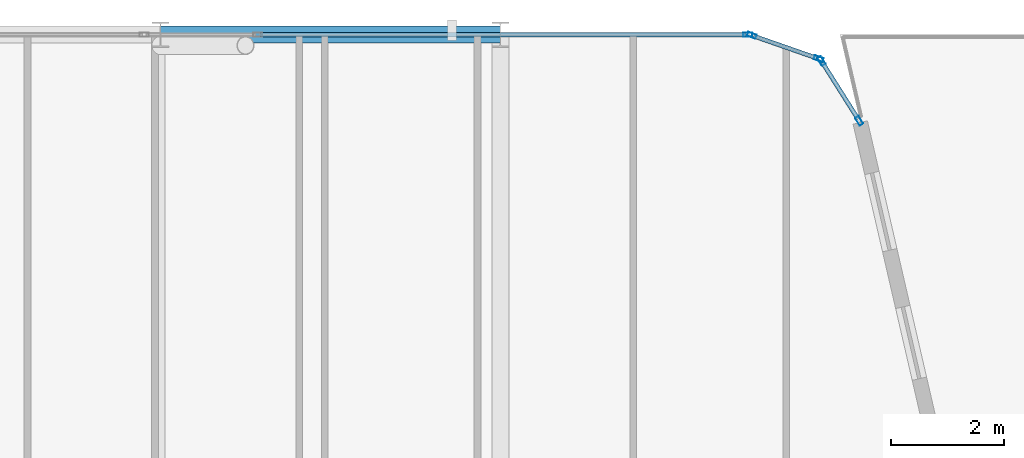
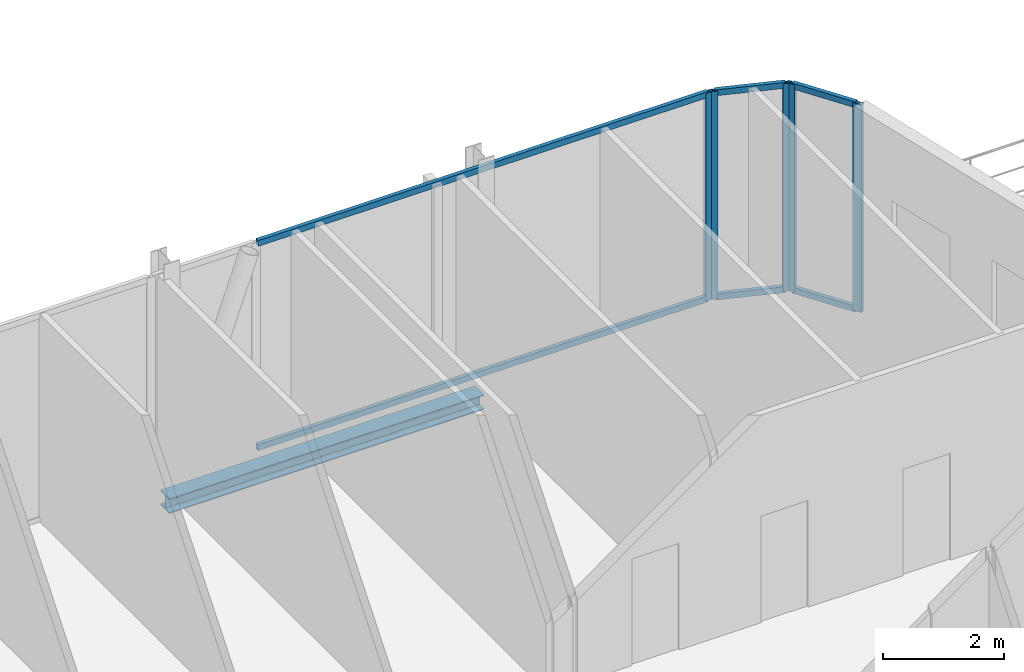
# One storey, part 18 of 28: 11 members, 1 beam, 3 elements without a shape of their own.
"""IFC4 building model written with IfcOpenShell, lengths in metres."""

from ifc_helpers import new_model, si_unit, direction, frame, origin, origin_2d, place, context, subcontext, project, spatial, hollow_rectangle, i_section, extrude, material, layer, layer_set, material_profile, profile_set, type_object, element, aggregate, save


model = new_model("IFC4")

# Units and contexts
model_context = context("Model", 3, precision=1e-05, world=origin(), true_north=direction((0.0, 1.0)))
body_context = subcontext(model_context, "Body", "Model", "MODEL_VIEW")
ifc_project = project(units=[si_unit("LENGTHUNIT", "METRE"), si_unit("AREAUNIT", "SQUARE_METRE"), si_unit("VOLUMEUNIT", "CUBIC_METRE"), si_unit("PLANEANGLEUNIT", "RADIAN"), si_unit("MASSUNIT", "GRAM", prefix="KILO")], contexts=[model_context])

# Site, building, storey
site_placement = place(None, origin())
site = spatial("IfcSite", under=ifc_project, at=site_placement, CompositionType="ELEMENT")
building_placement = place(site_placement, origin())
building = spatial("IfcBuilding", under=site, at=building_placement, Name="Keshet Zoharim Tower", CompositionType="ELEMENT")
storey_placement = place(building_placement, frame((0.0, 0.0, 164.60009765625)))
storey = spatial("IfcBuildingStorey", under=building, at=storey_placement, Name="L40", CompositionType="ELEMENT", Elevation=164.60009765625)

# Beam
ifc_material_1 = material(Name="Steel S355", Category="steel")
ifc_material_profile_1 = material_profile(ifc_material_1, i_section(OverallWidth=0.300048828125, OverallDepth=0.300048828125, WebThickness=0.010986328125, FlangeThickness=0.01904296875, FilletRadius=0.027099609375, at=origin_2d()), Name="HEB300")
ifc_profile_set_1 = profile_set([ifc_material_profile_1], Name="Steel S355")
beam_type = type_object("IfcBeamType", Name="BM-PRI-HB300", PredefinedType="BEAM", material=ifc_profile_set_1)
beam_placement = place(storey_placement, frame((27.0, 53.89990234375, -0.460205078125), z_axis=(1.0, 0.0, 0.0), x_axis=(0.0, 1.0, 0.0)))
element("IfcBeam", 1, at=beam_placement, inside=storey, type_object=beam_type, Name="L40 Primary Girder X-020", PredefinedType="BEAM", context=body_context, shape_type="SweptSolid", body=[
    extrude(i_section(OverallWidth=0.300048828125, OverallDepth=0.300048828125, WebThickness=0.010986328125, FlangeThickness=0.01904296875, FilletRadius=0.027099609375, at=origin_2d()), origin(), (0.0, 0.0, 1.0), 6.0),
])

# Curtain wall, member
ifc_material_2 = material(Name="Aluminium 6063-T6", Category="aluminium")
ifc_layer = layer(ifc_material_2, 0.139892578125)
ifc_layer_set = layer_set([ifc_layer], Name="Aluminium 6063-T6")
curtain_wall_type = type_object("IfcCurtainWallType", Name="CW-SYS-05", PredefinedType="NOTDEFINED", material=ifc_layer_set)
curtain_wall_1_placement = place(storey_placement, origin())
curtain_wall_1 = element("IfcCurtainWall", 2, at=curtain_wall_1_placement, inside=storey, type_object=curtain_wall_type, Name="L40 Unitised Curtain Wall 16 Part 5", PredefinedType="NOTDEFINED")
ifc_material_profile_2 = material_profile(ifc_material_2, hollow_rectangle(XDim=0.074951171875, YDim=0.159912109375, WallThickness=0.00390625, at=origin_2d()), Name="MUL-75x160")
ifc_profile_set_2 = profile_set([ifc_material_profile_2], Name="Aluminium 6063-T6")
member_type_1 = type_object("IfcMemberType", Name="CWM-M15", PredefinedType="MULLION", material=ifc_profile_set_2)
member_1_placement = place(storey_placement, frame((37.3740234375, 53.89990234375, 0.0), z_axis=(0.0, 0.0, 1.0), x_axis=(0.0, 1.0, 0.0)))
member_1 = element("IfcMember", 3, at=member_1_placement, type_object=member_type_1, Name="CW-05 mullion 2", PredefinedType="MULLION", context=body_context, shape_type="SweptSolid", body=[
    extrude(hollow_rectangle(XDim=0.074951171875, YDim=0.159912109375, WallThickness=0.00390625, at=origin_2d()), origin(), (0.0, 0.0, 1.0), 4.18994140625),
])

# Curtain wall, members
curtain_wall_2_placement = place(storey_placement, origin())
curtain_wall_2 = element("IfcCurtainWall", 4, at=curtain_wall_2_placement, inside=storey, type_object=curtain_wall_type, Name="L40 Unitised Curtain Wall 17", PredefinedType="NOTDEFINED")
member_2_placement = place(storey_placement, frame((37.442138671875, 53.888427734375, 0.0), z_axis=(0.0, 0.0, 1.0), x_axis=(0.329843743636, 0.944035542119, 0.0)))
member_2 = element("IfcMember", 5, at=member_2_placement, type_object=member_type_1, Name="CW-05 mullion 1", PredefinedType="MULLION", context=body_context, shape_type="SweptSolid", body=[
    extrude(hollow_rectangle(XDim=0.074951171875, YDim=0.159912109375, WallThickness=0.00390625, at=origin_2d()), origin(), (0.0, 0.0, 1.0), 4.18994140625),
])
member_3_placement = place(storey_placement, frame((38.620849609375, 53.4765625, 0.0), z_axis=(0.0, 0.0, 1.0), x_axis=(0.329843743636, 0.944035542119, 0.0)))
member_3 = element("IfcMember", 6, at=member_3_placement, type_object=member_type_1, Name="CW-05 mullion 2", PredefinedType="MULLION", context=body_context, shape_type="SweptSolid", body=[
    extrude(hollow_rectangle(XDim=0.074951171875, YDim=0.159912109375, WallThickness=0.00390625, at=origin_2d()), origin(), (0.0, 0.0, 1.0), 4.18994140625),
])

curtain_wall_3_placement = place(storey_placement, origin())
curtain_wall_3 = element("IfcCurtainWall", 7, at=curtain_wall_3_placement, inside=storey, type_object=curtain_wall_type, Name="L40 Unitised Curtain Wall 18", PredefinedType="NOTDEFINED")
member_4_placement = place(storey_placement, frame((38.672607421875, 53.435302734375, 0.0), z_axis=(0.0, 0.0, 1.0), x_axis=(0.845560976183, 0.533878858502, 0.0)))
member_4 = element("IfcMember", 8, at=member_4_placement, type_object=member_type_1, Name="CW-05 mullion 1", PredefinedType="MULLION", context=body_context, shape_type="SweptSolid", body=[
    extrude(hollow_rectangle(XDim=0.074951171875, YDim=0.159912109375, WallThickness=0.00390625, at=origin_2d()), origin(), (0.0, 0.0, 1.0), 4.18994140625),
])
member_5_placement = place(storey_placement, frame((39.33935546875, 52.379638671875, 0.0), z_axis=(0.0, 0.0, 1.0), x_axis=(0.845560976183, 0.533878858502, 0.0)))
member_5 = element("IfcMember", 9, at=member_5_placement, type_object=member_type_1, Name="CW-05 mullion 2", PredefinedType="MULLION", context=body_context, shape_type="SweptSolid", body=[
    extrude(hollow_rectangle(XDim=0.074951171875, YDim=0.159912109375, WallThickness=0.00390625, at=origin_2d()), origin(), (0.0, 0.0, 1.0), 4.18994140625),
])

# Member
ifc_material_profile_3 = material_profile(ifc_material_2, hollow_rectangle(XDim=0.074951171875, YDim=0.1201171875, WallThickness=0.00390625, at=origin_2d()), Name="TRN-75x120")
ifc_profile_set_3 = profile_set([ifc_material_profile_3], Name="Aluminium 6063-T6")
member_type_2 = type_object("IfcMemberType", Name="CWT-T12", PredefinedType="USERDEFINED", material=ifc_profile_set_3)
member_6_placement = place(storey_placement, frame((28.75244140625, 53.89990234375, 0.034912109375), z_axis=(1.0, 0.0, 0.0), x_axis=(0.0, 1.0, 0.0)))
member_6 = element("IfcMember", 10, at=member_6_placement, type_object=member_type_2, Name="CW-05 transom 1.1", ObjectType="TRANSOM", PredefinedType="USERDEFINED", context=body_context, shape_type="SweptSolid", body=[
    extrude(hollow_rectangle(XDim=0.074951171875, YDim=0.1201171875, WallThickness=0.00390625, at=origin_2d()), origin(), (0.0, 0.0, 1.0), 8.586669921875),
])

member_7_placement = place(storey_placement, frame((28.75244140625, 53.89990234375, 4.15478515625), z_axis=(1.0, 0.0, 0.0), x_axis=(0.0, 1.0, 0.0)))
member_7 = element("IfcMember", 11, at=member_7_placement, type_object=member_type_2, Name="CW-05 transom 1.2", ObjectType="TRANSOM", PredefinedType="USERDEFINED", context=body_context, shape_type="SweptSolid", body=[
    extrude(hollow_rectangle(XDim=0.074951171875, YDim=0.1201171875, WallThickness=0.00390625, at=origin_2d()), origin(), (0.0, 0.0, 1.0), 8.586669921875),
])

aggregate(curtain_wall_1, [member_1, member_6, member_7])

member_8_placement = place(storey_placement, frame((37.47509765625, 53.876953125, 0.034912109375), z_axis=(0.944006789648, -0.329926023675, 0.0), x_axis=(0.329926023675, 0.944006789648, 0.0)))
member_8 = element("IfcMember", 12, at=member_8_placement, type_object=member_type_2, Name="CW-05 transom 1.1", ObjectType="TRANSOM", PredefinedType="USERDEFINED", context=body_context, shape_type="SweptSolid", body=[
    extrude(hollow_rectangle(XDim=0.074951171875, YDim=0.1201171875, WallThickness=0.00390625, at=origin_2d()), origin(), (0.0, 0.0, 1.0), 1.1787109375),
])

member_9_placement = place(storey_placement, frame((37.47509765625, 53.876953125, 4.15478515625), z_axis=(0.944006789648, -0.329926023675, 0.0), x_axis=(0.329926023675, 0.944006789648, 0.0)))
member_9 = element("IfcMember", 13, at=member_9_placement, type_object=member_type_2, Name="CW-05 transom 1.2", ObjectType="TRANSOM", PredefinedType="USERDEFINED", context=body_context, shape_type="SweptSolid", body=[
    extrude(hollow_rectangle(XDim=0.074951171875, YDim=0.1201171875, WallThickness=0.00390625, at=origin_2d()), origin(), (0.0, 0.0, 1.0), 1.1787109375),
])

aggregate(curtain_wall_2, [member_2, member_3, member_8, member_9])

member_10_placement = place(storey_placement, frame((38.69140625, 53.40576171875, 0.034912109375), z_axis=(0.53382931122, -0.845592257819, 0.0), x_axis=(0.845592257819, 0.53382931122, 0.0)))
member_10 = element("IfcMember", 14, at=member_10_placement, type_object=member_type_2, Name="CW-05 transom 1.1", ObjectType="TRANSOM", PredefinedType="USERDEFINED", context=body_context, shape_type="SweptSolid", body=[
    extrude(hollow_rectangle(XDim=0.074951171875, YDim=0.1201171875, WallThickness=0.00390625, at=origin_2d()), origin(), (0.0, 0.0, 1.0), 1.178466796875),
])

member_11_placement = place(storey_placement, frame((38.69140625, 53.40576171875, 4.15478515625), z_axis=(0.53382931122, -0.845592257819, 0.0), x_axis=(0.845592257819, 0.53382931122, 0.0)))
member_11 = element("IfcMember", 15, at=member_11_placement, type_object=member_type_2, Name="CW-05 transom 1.2", ObjectType="TRANSOM", PredefinedType="USERDEFINED", context=body_context, shape_type="SweptSolid", body=[
    extrude(hollow_rectangle(XDim=0.074951171875, YDim=0.1201171875, WallThickness=0.00390625, at=origin_2d()), origin(), (0.0, 0.0, 1.0), 1.178466796875),
])

aggregate(curtain_wall_3, [member_4, member_5, member_10, member_11])

save(model, "model.ifc")
